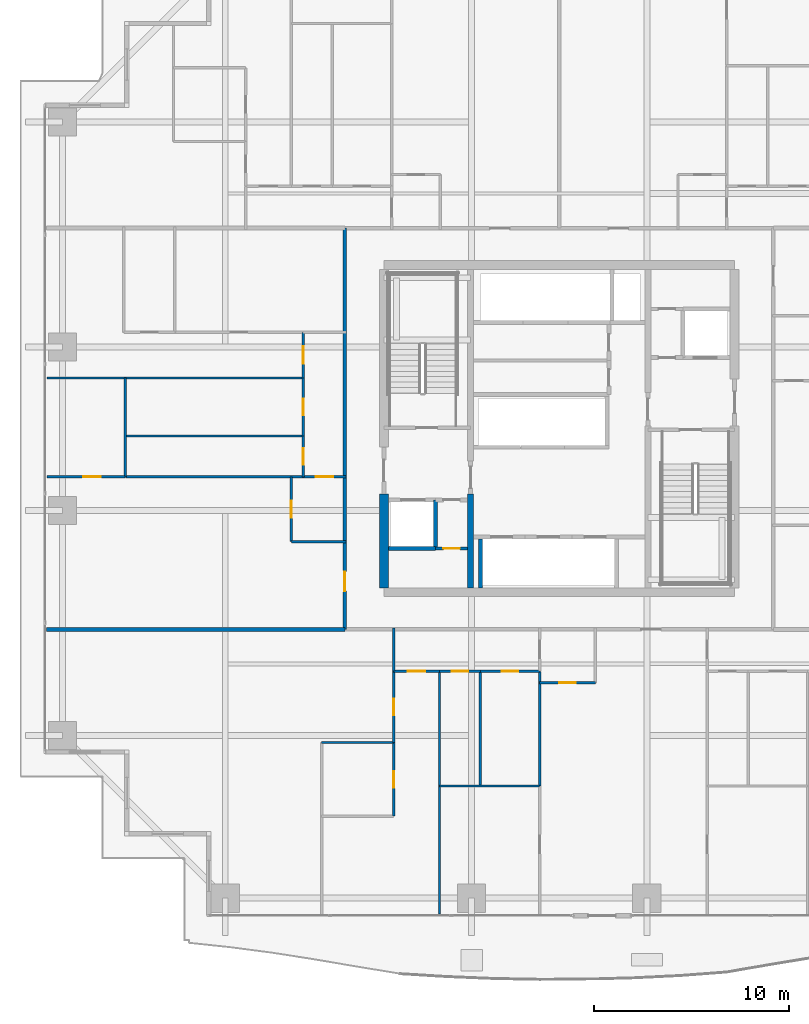
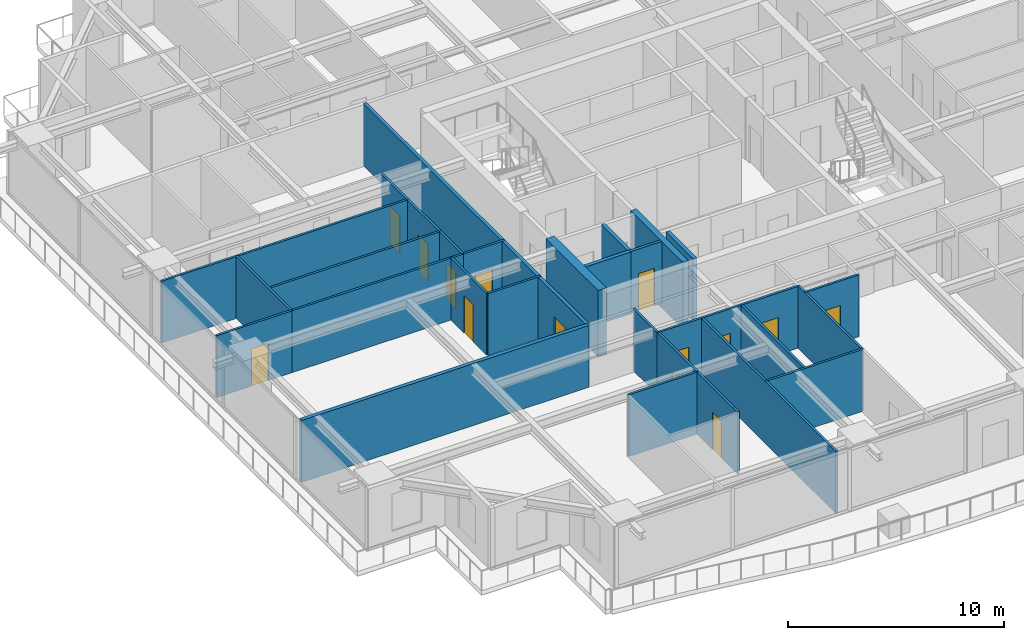
# One storey, part 27 of 39: 31 walls, 14 doors, 14 openings.
"""IFC4 building model written with IfcOpenShell, lengths in metres."""

from ifc_helpers import new_model, si_unit, direction, frame, frame_2d, origin, place, context, subcontext, project, spatial, rectangle, extrude, source, transform, mapped, material, layer, layer_set, type_object, element, fill, save


model = new_model("IFC4")

# Units and contexts
model_context = context("Model", 3, precision=1e-05, world=origin(), true_north=direction((0.0, 1.0)))
body_context = subcontext(model_context, "Body", "Model", "MODEL_VIEW")
ifc_project = project(units=[si_unit("LENGTHUNIT", "METRE"), si_unit("AREAUNIT", "SQUARE_METRE"), si_unit("VOLUMEUNIT", "CUBIC_METRE"), si_unit("PLANEANGLEUNIT", "RADIAN"), si_unit("MASSUNIT", "GRAM", prefix="KILO")], contexts=[model_context])

# Site, building, storey
site_placement = place(None, origin())
site = spatial("IfcSite", under=ifc_project, at=site_placement, CompositionType="ELEMENT")
building_placement = place(site_placement, origin())
building = spatial("IfcBuilding", under=site, at=building_placement, Name="Serunith Strait Residences", CompositionType="ELEMENT")
storey_placement = place(building_placement, frame((0.0, 0.0, 94.199951171875)))
storey = spatial("IfcBuildingStorey", under=building, at=storey_placement, Name="L23", CompositionType="ELEMENT", Elevation=94.199951171875)

# Wall, opening, door
ifc_material_1 = material(Name="Fire-rated masonry service closet wall", Category="masonry")
ifc_layer_1 = layer(ifc_material_1, 0.14990234375, Name="Fire-rated masonry service closet wall")
ifc_layer_set_1 = layer_set([ifc_layer_1], Name="Fire-rated masonry service closet wall")
wall_type_1 = type_object("IfcWallType", Name="IW-BOH-150", PredefinedType="PARTITIONING", material=ifc_layer_set_1)
wall_1_placement = place(storey_placement, frame((26.052001953125, 19.050048828125, 0.0), z_axis=(0.0, 0.0, 1.0), x_axis=(1.0, 0.0, 0.0)))
wall_1 = element("IfcWall", 1, at=wall_1_placement, inside=storey, type_object=wall_type_1, Name="L23 Partition Wall 012", PredefinedType="PARTITIONING", context=body_context, shape_type="SweptSolid", body=[
    extrude(rectangle(XDim=1.64794921875, YDim=0.14990234375, at=frame_2d((0.823974609375, 0.0))), origin(), (0.0, 0.0, 1.0), 3.489990234375),
])
opening_1_placement = place(wall_1_placement, frame((0.39892578125, 0.0, 0.0)))
opening_1 = element("IfcOpeningElement", 2, at=opening_1_placement, cuts=wall_1, Name="Opening FD-850", PredefinedType="OPENING", context=body_context, shape_type="SweptSolid", body=[
    extrude(rectangle(XDim=0.85009765625, YDim=2.10009765625, at=frame_2d((0.425048828125, 1.050048828125))), frame((0.0, 0.0849609375, 0.0), z_axis=(0.0, -1.0, 0.0), x_axis=(1.0, 0.0, 0.0)), (0.0, 0.0, 1.0), 0.169921875),
])
ifc_material_2 = material(Name="Powder-coated steel service closet door", Category="steel")
door_type_1 = type_object("IfcDoorType", Name="FD-BOH-850", OperationType="NOTDEFINED", PredefinedType="DOOR", material=ifc_material_2)
shared_shape_1 = source(origin(), body_context, "Body", "SweptSolid", [
    extrude(rectangle(XDim=0.85009765625, YDim=2.10009765625, at=frame_2d((0.425048828125, 1.050048828125))), frame((0.0, 0.02490234375, 0.0), z_axis=(0.0, -1.0, 0.0), x_axis=(1.0, 0.0, 0.0)), (0.0, 0.0, 1.0), 0.050048828125),
])
door_1_placement = place(opening_1_placement, origin())
door_1 = element("IfcDoor", 3, at=door_1_placement, inside=storey, type_object=door_type_1, Name="L23 Water Meter Door", OperationType="SINGLE_SWING_RIGHT", OverallHeight=2.10009765625, OverallWidth=0.85009765625, PredefinedType="DOOR", context=body_context, shape_type="MappedRepresentation", body=[
    mapped(shared_shape_1, transform((0.0, 0.0, 0.0), scale=1.0)),
])
fill(opening_1, door_1)

ifc_material_3 = material(Name="Fire-rated acoustic gypsum partition")
ifc_layer_2 = layer(ifc_material_3, 0.179931640625, Name="Fire-rated acoustic gypsum partition")
ifc_layer_set_2 = layer_set([ifc_layer_2], Name="Fire-rated acoustic gypsum partition")
wall_type_2 = type_object("IfcWallType", Name="IW-CORR-180", PredefinedType="PARTITIONING", material=ifc_layer_set_2)
wall_2_placement = place(storey_placement, frame((21.39990234375, 14.89990234375, 0.0), z_axis=(0.0, 0.0, 1.0), x_axis=(0.0, 1.0, 0.0)))
wall_2 = element("IfcWall", 4, at=wall_2_placement, inside=storey, type_object=wall_type_2, Name="L23 Partition Wall 024", PredefinedType="PARTITIONING", context=body_context, shape_type="SweptSolid", body=[
    extrude(rectangle(XDim=20.60009765625, YDim=0.179931640625, at=frame_2d((10.300048828125, 0.0))), origin(), (0.0, 0.0, 1.0), 3.489990234375),
])
opening_2_placement = place(wall_2_placement, frame((1.9599609375, 0.0, 0.0)))
opening_2 = element("IfcOpeningElement", 5, at=opening_2_placement, cuts=wall_2, Name="Opening D-APT1000", PredefinedType="OPENING", context=body_context, shape_type="SweptSolid", body=[
    extrude(rectangle(XDim=1.0, YDim=2.14990234375, at=frame_2d((0.5, 1.074951171875))), frame((0.0, 0.10009765625, 0.0), z_axis=(0.0, -1.0, 0.0), x_axis=(1.0, 0.0, 0.0)), (0.0, 0.0, 1.0), 0.199951171875),
])
ifc_material_4 = material(Name="Solid timber engineered fire door", Category="wood")
door_type_2 = type_object("IfcDoorType", Name="ID-APT-1000", OperationType="NOTDEFINED", PredefinedType="DOOR", material=ifc_material_4)
shared_shape_2 = source(origin(), body_context, "Body", "SweptSolid", [
    extrude(rectangle(XDim=1.0, YDim=2.14990234375, at=frame_2d((0.5, 1.074951171875))), frame((0.0, 0.02490234375, 0.0), z_axis=(0.0, -1.0, 0.0), x_axis=(1.0, 0.0, 0.0)), (0.0, 0.0, 1.0), 0.050048828125),
])
door_2_placement = place(opening_2_placement, origin())
door_2 = element("IfcDoor", 6, at=door_2_placement, inside=storey, type_object=door_type_2, Name="L23 Unit 04 Entrance Door", OperationType="SINGLE_SWING_LEFT", OverallHeight=2.14990234375, OverallWidth=1.0, PredefinedType="DOOR", context=body_context, shape_type="MappedRepresentation", body=[
    mapped(shared_shape_2, transform((0.0, 0.0, 0.0), scale=1.0)),
])
fill(opening_2, door_2)

ifc_material_5 = material(Name="Lightweight steel-stud gypsum partition", Category="steel")
ifc_layer_3 = layer(ifc_material_5, 0.1201171875, Name="Lightweight steel-stud gypsum partition")
ifc_layer_set_3 = layer_set([ifc_layer_3], Name="Lightweight steel-stud gypsum partition")
wall_type_3 = type_object("IfcWallType", Name="IW-PART-120", PredefinedType="PARTITIONING", material=ifc_layer_set_3)
wall_3_placement = place(storey_placement, frame((31.39990234375, 12.14990234375, 0.0), z_axis=(0.0, 0.0, 1.0), x_axis=(1.0, 0.0, 0.0)))
wall_3 = element("IfcWall", 7, at=wall_3_placement, inside=storey, type_object=wall_type_3, Name="L23 Partition Wall 026", PredefinedType="PARTITIONING", context=body_context, shape_type="SweptSolid", body=[
    extrude(rectangle(XDim=2.85009765625, YDim=0.1201171875, at=frame_2d((1.425048828125, 0.0))), origin(), (0.0, 0.0, 1.0), 3.489990234375),
])
opening_3_placement = place(wall_3_placement, frame((1.0, 0.0, 0.0)))
opening_3 = element("IfcOpeningElement", 8, at=opening_3_placement, cuts=wall_3, Name="Opening D-RM850", PredefinedType="OPENING", context=body_context, shape_type="SweptSolid", body=[
    extrude(rectangle(XDim=0.85009765625, YDim=2.10009765625, at=frame_2d((0.425048828125, 1.050048828125))), frame((0.0, 0.070068359375, 0.0), z_axis=(0.0, -1.0, 0.0), x_axis=(1.0, 0.0, 0.0)), (0.0, 0.0, 1.0), 0.14013671875),
])
ifc_material_6 = material(Name="Engineered timber flush study and kitchen door", Category="wood")
door_type_3 = type_object("IfcDoorType", Name="ID-ROOM-850", OperationType="NOTDEFINED", PredefinedType="DOOR", material=ifc_material_6)
door_3_placement = place(opening_3_placement, origin())
door_3 = element("IfcDoor", 9, at=door_3_placement, inside=storey, type_object=door_type_3, Name="L23 Kitchen 2301 Door", OperationType="SINGLE_SWING_LEFT", OverallHeight=2.10009765625, OverallWidth=0.85009765625, PredefinedType="DOOR", context=body_context, shape_type="MappedRepresentation", body=[
    mapped(shared_shape_1, transform((0.0, 0.0, 0.0), scale=1.0)),
])
fill(opening_3, door_3)

# Walls
wall_4_placement = place(storey_placement, frame((31.39990234375, 6.862060546875, 0.0), z_axis=(0.0, 0.0, 1.0), x_axis=(0.0, 1.0, 0.0)))
element("IfcWall", 10, at=wall_4_placement, inside=storey, type_object=wall_type_3, Name="L23 Partition Wall 030", PredefinedType="PARTITIONING", context=body_context, shape_type="SweptSolid", body=[
    extrude(rectangle(XDim=5.885986328125, YDim=0.1201171875, at=frame_2d((2.94287109375, 0.0))), origin(), (0.0, 0.0, 1.0), 3.489990234375),
])
wall_5_placement = place(storey_placement, frame((26.25, 6.860107421875, 0.0), z_axis=(0.0, 0.0, 1.0), x_axis=(1.0, 0.0, 0.0)))
element("IfcWall", 11, at=wall_5_placement, inside=storey, type_object=wall_type_3, Name="L23 Partition Wall 031", PredefinedType="PARTITIONING", context=body_context, shape_type="SweptSolid", body=[
    extrude(rectangle(XDim=5.14990234375, YDim=0.1201171875, at=frame_2d((2.574951171875, 0.0))), origin(), (0.0, 0.0, 1.0), 3.489990234375),
])
wall_6_placement = place(storey_placement, frame((26.25, 0.294921875, 0.0), z_axis=(0.0, 0.0, 1.0), x_axis=(0.0, 1.0, 0.0)))
element("IfcWall", 12, at=wall_6_placement, inside=storey, type_object=wall_type_3, Name="L23 Partition Wall 032", PredefinedType="PARTITIONING", context=body_context, shape_type="SweptSolid", body=[
    extrude(rectangle(XDim=12.455078125, YDim=0.1201171875, at=frame_2d((6.2275390625, 0.0))), origin(), (0.0, 0.0, 1.0), 3.489990234375),
])
wall_7_placement = place(storey_placement, frame((28.35009765625, 6.860107421875, 0.0), z_axis=(0.0, 0.0, 1.0), x_axis=(0.0, 1.0, 0.0)))
element("IfcWall", 13, at=wall_7_placement, inside=storey, type_object=wall_type_3, Name="L23 Partition Wall 033", PredefinedType="PARTITIONING", context=body_context, shape_type="SweptSolid", body=[
    extrude(rectangle(XDim=5.889892578125, YDim=0.1201171875, at=frame_2d((2.94482421875, 0.0))), origin(), (0.0, 0.0, 1.0), 3.489990234375),
])

# Wall, opening, door
wall_8_placement = place(storey_placement, frame((26.25, 12.75, 0.0), z_axis=(0.0, 0.0, 1.0), x_axis=(1.0, 0.0, 0.0)))
wall_8 = element("IfcWall", 14, at=wall_8_placement, inside=storey, type_object=wall_type_3, Name="L23 Partition Wall 034", PredefinedType="PARTITIONING", context=body_context, shape_type="SweptSolid", body=[
    extrude(rectangle(XDim=2.10009765625, YDim=0.1201171875, at=frame_2d((1.050048828125, 0.0))), origin(), (0.0, 0.0, 1.0), 3.489990234375),
])
opening_4_placement = place(wall_8_placement, frame((0.625, 0.0, 0.0)))
opening_4 = element("IfcOpeningElement", 15, at=opening_4_placement, cuts=wall_8, Name="Opening D-BTH850", PredefinedType="OPENING", context=body_context, shape_type="SweptSolid", body=[
    extrude(rectangle(XDim=0.85009765625, YDim=2.10009765625, at=frame_2d((0.425048828125, 1.050048828125))), frame((0.0, 0.070068359375, 0.0), z_axis=(0.0, -1.0, 0.0), x_axis=(1.0, 0.0, 0.0)), (0.0, 0.0, 1.0), 0.14013671875),
])
ifc_material_7 = material(Name="Moisture-resistant timber bathroom door", Category="wood")
door_type_4 = type_object("IfcDoorType", Name="ID-BATH-850", OperationType="NOTDEFINED", PredefinedType="DOOR", material=ifc_material_7)
door_4_placement = place(opening_4_placement, origin())
door_4 = element("IfcDoor", 16, at=door_4_placement, inside=storey, type_object=door_type_4, Name="L23 Bathroom 2301 Door", OperationType="SINGLE_SWING_RIGHT", OverallHeight=2.10009765625, OverallWidth=0.85009765625, PredefinedType="DOOR", context=body_context, shape_type="MappedRepresentation", body=[
    mapped(shared_shape_1, transform((0.0, 0.0, 0.0), scale=1.0)),
])
fill(opening_4, door_4)

wall_9_placement = place(storey_placement, frame((28.35205078125, 12.75, 0.0), z_axis=(0.0, 0.0, 1.0), x_axis=(1.0, 0.0, 0.0)))
wall_9 = element("IfcWall", 17, at=wall_9_placement, inside=storey, type_object=wall_type_3, Name="L23 Partition Wall 035", PredefinedType="PARTITIONING", context=body_context, shape_type="SweptSolid", body=[
    extrude(rectangle(XDim=3.0478515625, YDim=0.1201171875, at=frame_2d((1.52392578125, 0.0))), origin(), (0.0, 0.0, 1.0), 3.489990234375),
])
opening_5_placement = place(wall_9_placement, frame((1.09912109375, 0.0, 0.0)))
opening_5 = element("IfcOpeningElement", 18, at=opening_5_placement, cuts=wall_9, Name="Opening D-RM850", PredefinedType="OPENING", context=body_context, shape_type="SweptSolid", body=[
    extrude(rectangle(XDim=0.85009765625, YDim=2.10009765625, at=frame_2d((0.425048828125, 1.050048828125))), frame((0.0, 0.070068359375, 0.0), z_axis=(0.0, -1.0, 0.0), x_axis=(1.0, 0.0, 0.0)), (0.0, 0.0, 1.0), 0.14013671875),
])
door_5_placement = place(opening_5_placement, origin())
door_5 = element("IfcDoor", 19, at=door_5_placement, inside=storey, type_object=door_type_3, Name="L23 Formal Dining Room 2301 Door", OperationType="SINGLE_SWING_LEFT", OverallHeight=2.10009765625, OverallWidth=0.85009765625, PredefinedType="DOOR", context=body_context, shape_type="MappedRepresentation", body=[
    mapped(shared_shape_1, transform((0.0, 0.0, 0.0), scale=1.0)),
])
fill(opening_5, door_5)

wall_10_placement = place(storey_placement, frame((23.89990234375, 12.75, 0.0), z_axis=(0.0, 0.0, 1.0), x_axis=(1.0, 0.0, 0.0)))
wall_10 = element("IfcWall", 20, at=wall_10_placement, inside=storey, type_object=wall_type_3, Name="L23 Partition Wall 036", PredefinedType="PARTITIONING", context=body_context, shape_type="SweptSolid", body=[
    extrude(rectangle(XDim=2.34814453125, YDim=0.1201171875, at=frame_2d((1.174072265625, 0.0))), origin(), (0.0, 0.0, 1.0), 3.489990234375),
])
opening_6_placement = place(wall_10_placement, frame((0.72412109375, 0.0, 0.0)))
opening_6 = element("IfcOpeningElement", 21, at=opening_6_placement, cuts=wall_10, Name="Opening D-RM900", PredefinedType="OPENING", context=body_context, shape_type="SweptSolid", body=[
    extrude(rectangle(XDim=0.89990234375, YDim=2.10009765625, at=frame_2d((0.449951171875, 1.050048828125))), frame((0.0, 0.070068359375, 0.0), z_axis=(0.0, -1.0, 0.0), x_axis=(1.0, 0.0, 0.0)), (0.0, 0.0, 1.0), 0.14013671875),
])
ifc_material_8 = material(Name="Engineered timber flush bedroom door", Category="wood")
door_type_5 = type_object("IfcDoorType", Name="ID-ROOM-900", OperationType="NOTDEFINED", PredefinedType="DOOR", material=ifc_material_8)
shared_shape_3 = source(origin(), body_context, "Body", "SweptSolid", [
    extrude(rectangle(XDim=0.89990234375, YDim=2.10009765625, at=frame_2d((0.449951171875, 1.050048828125))), frame((0.0, 0.02490234375, 0.0), z_axis=(0.0, -1.0, 0.0), x_axis=(1.0, 0.0, 0.0)), (0.0, 0.0, 1.0), 0.050048828125),
])
door_6_placement = place(opening_6_placement, origin())
door_6 = element("IfcDoor", 22, at=door_6_placement, inside=storey, type_object=door_type_5, Name="L23 Master Bedroom W 2301 Door", OperationType="SINGLE_SWING_RIGHT", OverallHeight=2.10009765625, OverallWidth=0.89990234375, PredefinedType="DOOR", context=body_context, shape_type="MappedRepresentation", body=[
    mapped(shared_shape_3, transform((0.0, 0.0, 0.0), scale=1.0)),
])
fill(opening_6, door_6)

# Wall
wall_11_placement = place(storey_placement, frame((20.199951171875, 9.093017578125, 0.0), z_axis=(0.0, 0.0, 1.0), x_axis=(1.0, 0.0, 0.0)))
element("IfcWall", 23, at=wall_11_placement, inside=storey, type_object=wall_type_3, Name="L23 Partition Wall 039", PredefinedType="PARTITIONING", context=body_context, shape_type="SweptSolid", body=[
    extrude(rectangle(XDim=3.699951171875, YDim=0.1201171875, at=frame_2d((1.85009765625, 0.0))), origin(), (0.0, 0.0, 1.0), 3.489990234375),
])

# Wall, opening, door
wall_12_placement = place(storey_placement, frame((23.89990234375, 5.30908203125, 0.0), z_axis=(0.0, 0.0, 1.0), x_axis=(0.0, 1.0, 0.0)))
wall_12 = element("IfcWall", 24, at=wall_12_placement, inside=storey, type_object=wall_type_3, Name="L23 Partition Wall 040", PredefinedType="PARTITIONING", context=body_context, shape_type="SweptSolid", body=[
    extrude(rectangle(XDim=3.783935546875, YDim=0.1201171875, at=frame_2d((1.89208984375, 0.0))), origin(), (0.0, 0.0, 1.0), 3.489990234375),
])
opening_7_placement = place(wall_12_placement, frame((1.467041015625, 0.0, 0.0)))
opening_7 = element("IfcOpeningElement", 25, at=opening_7_placement, cuts=wall_12, Name="Opening D-BTH850", PredefinedType="OPENING", context=body_context, shape_type="SweptSolid", body=[
    extrude(rectangle(XDim=0.85009765625, YDim=2.10009765625, at=frame_2d((0.425048828125, 1.050048828125))), frame((0.0, 0.070068359375, 0.0), z_axis=(0.0, -1.0, 0.0), x_axis=(1.0, 0.0, 0.0)), (0.0, 0.0, 1.0), 0.14013671875),
])
door_7_placement = place(opening_7_placement, origin())
door_7 = element("IfcDoor", 26, at=door_7_placement, inside=storey, type_object=door_type_4, Name="L23 En-suite Bathroom W 2301 Door", OperationType="SINGLE_SWING_LEFT", OverallHeight=2.10009765625, OverallWidth=0.85009765625, PredefinedType="DOOR", context=body_context, shape_type="MappedRepresentation", body=[
    mapped(shared_shape_1, transform((0.0, 0.0, 0.0), scale=1.0)),
])
fill(opening_7, door_7)

wall_13_placement = place(storey_placement, frame((23.89990234375, 9.094970703125, 0.0), z_axis=(0.0, 0.0, 1.0), x_axis=(0.0, 1.0, 0.0)))
wall_13 = element("IfcWall", 27, at=wall_13_placement, inside=storey, type_object=wall_type_3, Name="L23 Partition Wall 041", PredefinedType="PARTITIONING", context=body_context, shape_type="SweptSolid", body=[
    extrude(rectangle(XDim=3.655029296875, YDim=0.1201171875, at=frame_2d((1.82763671875, 0.0))), origin(), (0.0, 0.0, 1.0), 3.489990234375),
])
opening_8_placement = place(wall_13_placement, frame((1.402099609375, 0.0, 0.0)))
opening_8 = element("IfcOpeningElement", 28, at=opening_8_placement, cuts=wall_13, Name="Opening D-RM850", PredefinedType="OPENING", context=body_context, shape_type="SweptSolid", body=[
    extrude(rectangle(XDim=0.85009765625, YDim=2.10009765625, at=frame_2d((0.425048828125, 1.050048828125))), frame((0.0, 0.070068359375, 0.0), z_axis=(0.0, -1.0, 0.0), x_axis=(1.0, 0.0, 0.0)), (0.0, 0.0, 1.0), 0.14013671875),
])
door_8_placement = place(opening_8_placement, origin())
door_8 = element("IfcDoor", 29, at=door_8_placement, inside=storey, type_object=door_type_3, Name="L23 Wardrobe W 2301 Door", OperationType="SINGLE_SWING_RIGHT", OverallHeight=2.10009765625, OverallWidth=0.85009765625, PredefinedType="DOOR", context=body_context, shape_type="MappedRepresentation", body=[
    mapped(shared_shape_1, transform((0.0, 0.0, 0.0), scale=1.0)),
])
fill(opening_8, door_8)

# Wall
wall_14_placement = place(storey_placement, frame((23.89990234375, 12.751953125, 0.0), z_axis=(0.0, 0.0, 1.0), x_axis=(0.0, 1.0, 0.0)))
element("IfcWall", 30, at=wall_14_placement, inside=storey, type_object=wall_type_3, Name="L23 Partition Wall 042", PredefinedType="PARTITIONING", context=body_context, shape_type="SweptSolid", body=[
    extrude(rectangle(XDim=2.2080078125, YDim=0.1201171875, at=frame_2d((1.10400390625, 0.0))), origin(), (0.0, 0.0, 1.0), 3.489990234375),
])

# Wall, opening, door
wall_15_placement = place(storey_placement, frame((18.64990234375, 19.39990234375, 0.0), z_axis=(0.0, 0.0, 1.0), x_axis=(0.0, 1.0, 0.0)))
wall_15 = element("IfcWall", 31, at=wall_15_placement, inside=storey, type_object=wall_type_3, Name="L23 Partition Wall 092", PredefinedType="PARTITIONING", context=body_context, shape_type="SweptSolid", body=[
    extrude(rectangle(XDim=3.330078125, YDim=0.1201171875, at=frame_2d((1.6650390625, 0.0))), origin(), (0.0, 0.0, 1.0), 3.489990234375),
])
opening_9_placement = place(wall_15_placement, frame((1.239990234375, 0.0, 0.0)))
opening_9 = element("IfcOpeningElement", 32, at=opening_9_placement, cuts=wall_15, Name="Opening D-RM850", PredefinedType="OPENING", context=body_context, shape_type="SweptSolid", body=[
    extrude(rectangle(XDim=0.85009765625, YDim=2.10009765625, at=frame_2d((0.425048828125, 1.050048828125))), frame((0.0, 0.070068359375, 0.0), z_axis=(0.0, -1.0, 0.0), x_axis=(1.0, 0.0, 0.0)), (0.0, 0.0, 1.0), 0.14013671875),
])
door_9_placement = place(opening_9_placement, origin())
door_9 = element("IfcDoor", 33, at=door_9_placement, inside=storey, type_object=door_type_3, Name="L23 Kitchen 2304 Door", OperationType="SINGLE_SWING_RIGHT", OverallHeight=2.10009765625, OverallWidth=0.85009765625, PredefinedType="DOOR", context=body_context, shape_type="MappedRepresentation", body=[
    mapped(shared_shape_1, transform((0.0, 0.0, 0.0), scale=1.0)),
])
fill(opening_9, door_9)

# Wall
wall_16_placement = place(storey_placement, frame((18.64990234375, 19.39990234375, 0.0), z_axis=(0.0, 0.0, 1.0), x_axis=(1.0, 0.0, 0.0)))
element("IfcWall", 34, at=wall_16_placement, inside=storey, type_object=wall_type_3, Name="L23 Partition Wall 093", PredefinedType="PARTITIONING", context=body_context, shape_type="SweptSolid", body=[
    extrude(rectangle(XDim=2.81005859375, YDim=0.1201171875, at=frame_2d((1.405029296875, 0.0))), origin(), (0.0, 0.0, 1.0), 3.489990234375),
])

# Wall, opening, door
wall_17_placement = place(storey_placement, frame((19.25, 22.72998046875, 0.0), z_axis=(0.0, 0.0, 1.0), x_axis=(1.0, 0.0, 0.0)))
wall_17 = element("IfcWall", 35, at=wall_17_placement, inside=storey, type_object=wall_type_3, Name="L23 Partition Wall 094", PredefinedType="PARTITIONING", context=body_context, shape_type="SweptSolid", body=[
    extrude(rectangle(XDim=2.2099609375, YDim=0.1201171875, at=frame_2d((1.10498046875, 0.0))), origin(), (0.0, 0.0, 1.0), 3.489990234375),
])
opening_10_placement = place(wall_17_placement, frame((0.655029296875, 0.0, 0.0)))
opening_10 = element("IfcOpeningElement", 36, at=opening_10_placement, cuts=wall_17, Name="Opening D-RM900", PredefinedType="OPENING", context=body_context, shape_type="SweptSolid", body=[
    extrude(rectangle(XDim=0.89990234375, YDim=2.10009765625, at=frame_2d((0.449951171875, 1.050048828125))), frame((0.0, 0.070068359375, 0.0), z_axis=(0.0, -1.0, 0.0), x_axis=(1.0, 0.0, 0.0)), (0.0, 0.0, 1.0), 0.14013671875),
])
door_10_placement = place(opening_10_placement, origin())
door_10 = element("IfcDoor", 37, at=door_10_placement, inside=storey, type_object=door_type_5, Name="L23 Hall E 2304 Door", OperationType="SINGLE_SWING_LEFT", OverallHeight=2.10009765625, OverallWidth=0.89990234375, PredefinedType="DOOR", context=body_context, shape_type="MappedRepresentation", body=[
    mapped(shared_shape_3, transform((0.0, 0.0, 0.0), scale=1.0)),
])
fill(opening_10, door_10)

wall_18_placement = place(storey_placement, frame((6.094970703125, 22.72998046875, 0.0), z_axis=(0.0, 0.0, 1.0), x_axis=(1.0, 0.0, 0.0)))
wall_18 = element("IfcWall", 38, at=wall_18_placement, inside=storey, type_object=wall_type_3, Name="L23 Partition Wall 095", PredefinedType="PARTITIONING", context=body_context, shape_type="SweptSolid", body=[
    extrude(rectangle(XDim=4.02392578125, YDim=0.1201171875, at=frame_2d((2.011962890625, 0.0))), origin(), (0.0, 0.0, 1.0), 3.489990234375),
])
opening_11_placement = place(wall_18_placement, frame((1.85791015625, 0.0, 0.0)))
opening_11 = element("IfcOpeningElement", 39, at=opening_11_placement, cuts=wall_18, Name="Opening D-RM900", PredefinedType="OPENING", context=body_context, shape_type="SweptSolid", body=[
    extrude(rectangle(XDim=0.89990234375, YDim=2.10009765625, at=frame_2d((0.449951171875, 1.050048828125))), frame((0.0, 0.070068359375, 0.0), z_axis=(0.0, -1.0, 0.0), x_axis=(1.0, 0.0, 0.0)), (0.0, 0.0, 1.0), 0.14013671875),
])
door_11_placement = place(opening_11_placement, origin())
door_11 = element("IfcDoor", 40, at=door_11_placement, inside=storey, type_object=door_type_5, Name="L23 Study 1 2304 Door", OperationType="SINGLE_SWING_RIGHT", OverallHeight=2.10009765625, OverallWidth=0.89990234375, PredefinedType="DOOR", context=body_context, shape_type="MappedRepresentation", body=[
    mapped(shared_shape_3, transform((0.0, 0.0, 0.0), scale=1.0)),
])
fill(opening_11, door_11)

# Walls
wall_19_placement = place(storey_placement, frame((10.12109375, 22.72998046875, 0.0), z_axis=(0.0, 0.0, 1.0), x_axis=(1.0, 0.0, 0.0)))
element("IfcWall", 41, at=wall_19_placement, inside=storey, type_object=wall_type_3, Name="L23 Partition Wall 096", PredefinedType="PARTITIONING", context=body_context, shape_type="SweptSolid", body=[
    extrude(rectangle(XDim=9.126953125, YDim=0.1201171875, at=frame_2d((4.5634765625, 0.0))), origin(), (0.0, 0.0, 1.0), 3.489990234375),
])
wall_20_placement = place(storey_placement, frame((10.118896484375, 22.72998046875, 0.0), z_axis=(0.0, 0.0, 1.0), x_axis=(0.0, 1.0, 0.0)))
element("IfcWall", 42, at=wall_20_placement, inside=storey, type_object=wall_type_3, Name="L23 Partition Wall 097", PredefinedType="PARTITIONING", context=body_context, shape_type="SweptSolid", body=[
    extrude(rectangle(XDim=5.070068359375, YDim=0.1201171875, at=frame_2d((2.53515625, 0.0))), origin(), (0.0, 0.0, 1.0), 3.489990234375),
])
wall_21_placement = place(storey_placement, frame((6.094970703125, 27.800048828125, 0.0), z_axis=(0.0, 0.0, 1.0), x_axis=(1.0, 0.0, 0.0)))
element("IfcWall", 43, at=wall_21_placement, inside=storey, type_object=wall_type_3, Name="L23 Partition Wall 098", PredefinedType="PARTITIONING", context=body_context, shape_type="SweptSolid", body=[
    extrude(rectangle(XDim=13.155029296875, YDim=0.1201171875, at=frame_2d((6.57763671875, 0.0))), origin(), (0.0, 0.0, 1.0), 3.489990234375),
])
wall_22_placement = place(storey_placement, frame((10.118896484375, 24.830078125, 0.0), z_axis=(0.0, 0.0, 1.0), x_axis=(1.0, 0.0, 0.0)))
element("IfcWall", 44, at=wall_22_placement, inside=storey, type_object=wall_type_3, Name="L23 Partition Wall 099", PredefinedType="PARTITIONING", context=body_context, shape_type="SweptSolid", body=[
    extrude(rectangle(XDim=9.131103515625, YDim=0.1201171875, at=frame_2d((4.5654296875, 0.0))), origin(), (0.0, 0.0, 1.0), 3.489990234375),
])

# Wall, opening, door
wall_23_placement = place(storey_placement, frame((19.25, 22.72998046875, 0.0), z_axis=(0.0, 0.0, 1.0), x_axis=(0.0, 1.0, 0.0)))
wall_23 = element("IfcWall", 45, at=wall_23_placement, inside=storey, type_object=wall_type_3, Name="L23 Partition Wall 100", PredefinedType="PARTITIONING", context=body_context, shape_type="SweptSolid", body=[
    extrude(rectangle(XDim=2.10009765625, YDim=0.1201171875, at=frame_2d((1.050048828125, 0.0))), origin(), (0.0, 0.0, 1.0), 3.489990234375),
])
opening_12_placement = place(wall_23_placement, frame((0.625, 0.0, 0.0)))
opening_12 = element("IfcOpeningElement", 46, at=opening_12_placement, cuts=wall_23, Name="Opening D-BTH850", PredefinedType="OPENING", context=body_context, shape_type="SweptSolid", body=[
    extrude(rectangle(XDim=0.85009765625, YDim=2.10009765625, at=frame_2d((0.425048828125, 1.050048828125))), frame((0.0, 0.070068359375, 0.0), z_axis=(0.0, -1.0, 0.0), x_axis=(1.0, 0.0, 0.0)), (0.0, 0.0, 1.0), 0.14013671875),
])
door_12_placement = place(opening_12_placement, origin())
door_12 = element("IfcDoor", 47, at=door_12_placement, inside=storey, type_object=door_type_4, Name="L23 Bathroom 2304 Door", OperationType="SINGLE_SWING_LEFT", OverallHeight=2.10009765625, OverallWidth=0.85009765625, PredefinedType="DOOR", context=body_context, shape_type="MappedRepresentation", body=[
    mapped(shared_shape_1, transform((0.0, 0.0, 0.0), scale=1.0)),
])
fill(opening_12, door_12)

wall_24_placement = place(storey_placement, frame((19.25, 24.83203125, 0.0), z_axis=(0.0, 0.0, 1.0), x_axis=(0.0, 1.0, 0.0)))
wall_24 = element("IfcWall", 48, at=wall_24_placement, inside=storey, type_object=wall_type_3, Name="L23 Partition Wall 101", PredefinedType="PARTITIONING", context=body_context, shape_type="SweptSolid", body=[
    extrude(rectangle(XDim=2.968017578125, YDim=0.1201171875, at=frame_2d((1.48388671875, 0.0))), origin(), (0.0, 0.0, 1.0), 3.489990234375),
])
opening_13_placement = place(wall_24_placement, frame((1.05908203125, 0.0, 0.0)))
opening_13 = element("IfcOpeningElement", 49, at=opening_13_placement, cuts=wall_24, Name="Opening D-RM850", PredefinedType="OPENING", context=body_context, shape_type="SweptSolid", body=[
    extrude(rectangle(XDim=0.85009765625, YDim=2.10009765625, at=frame_2d((0.425048828125, 1.050048828125))), frame((0.0, 0.070068359375, 0.0), z_axis=(0.0, -1.0, 0.0), x_axis=(1.0, 0.0, 0.0)), (0.0, 0.0, 1.0), 0.14013671875),
])
door_13_placement = place(opening_13_placement, origin())
door_13 = element("IfcDoor", 50, at=door_13_placement, inside=storey, type_object=door_type_3, Name="L23 Study 2304 Door", OperationType="SINGLE_SWING_RIGHT", OverallHeight=2.10009765625, OverallWidth=0.85009765625, PredefinedType="DOOR", context=body_context, shape_type="MappedRepresentation", body=[
    mapped(shared_shape_1, transform((0.0, 0.0, 0.0), scale=1.0)),
])
fill(opening_13, door_13)

wall_25_placement = place(storey_placement, frame((19.25, 27.802001953125, 0.0), z_axis=(0.0, 0.0, 1.0), x_axis=(0.0, 1.0, 0.0)))
wall_25 = element("IfcWall", 51, at=wall_25_placement, inside=storey, type_object=wall_type_3, Name="L23 Partition Wall 102", PredefinedType="PARTITIONING", context=body_context, shape_type="SweptSolid", body=[
    extrude(rectangle(XDim=2.347900390625, YDim=0.1201171875, at=frame_2d((1.173828125, 0.0))), origin(), (0.0, 0.0, 1.0), 3.489990234375),
])
opening_14_placement = place(wall_25_placement, frame((0.72412109375, 0.0, 0.0)))
opening_14 = element("IfcOpeningElement", 52, at=opening_14_placement, cuts=wall_25, Name="Opening D-RM900", PredefinedType="OPENING", context=body_context, shape_type="SweptSolid", body=[
    extrude(rectangle(XDim=0.89990234375, YDim=2.10009765625, at=frame_2d((0.449951171875, 1.050048828125))), frame((0.0, 0.070068359375, 0.0), z_axis=(0.0, -1.0, 0.0), x_axis=(1.0, 0.0, 0.0)), (0.0, 0.0, 1.0), 0.14013671875),
])
door_14_placement = place(opening_14_placement, origin())
door_14 = element("IfcDoor", 53, at=door_14_placement, inside=storey, type_object=door_type_5, Name="L23 Master Bedroom E 2304 Door", OperationType="SINGLE_SWING_LEFT", OverallHeight=2.10009765625, OverallWidth=0.89990234375, PredefinedType="DOOR", context=body_context, shape_type="MappedRepresentation", body=[
    mapped(shared_shape_3, transform((0.0, 0.0, 0.0), scale=1.0)),
])
fill(opening_14, door_14)

# Walls
ifc_material_9 = material(Name="Twin-stud acoustic gypsum board partition")
ifc_layer_4 = layer(ifc_material_9, 0.199951171875, Name="Twin-stud acoustic gypsum board partition")
ifc_layer_set_4 = layer_set([ifc_layer_4], Name="Twin-stud acoustic gypsum board partition")
wall_type_4 = type_object("IfcWallType", Name="IW-PARTY-200", PredefinedType="PARTITIONING", material=ifc_layer_set_4)
wall_26_placement = place(storey_placement, frame((6.08203125, 14.89990234375, 0.0), z_axis=(0.0, 0.0, 1.0), x_axis=(1.0, 0.0, 0.0)))
element("IfcWall", 54, at=wall_26_placement, inside=storey, type_object=wall_type_4, Name="L23 Partition Wall 018", PredefinedType="PARTITIONING", context=body_context, shape_type="SweptSolid", body=[
    extrude(rectangle(XDim=15.31787109375, YDim=0.199951171875, at=frame_2d((7.658935546875, 0.0))), origin(), (0.0, 0.0, 1.0), 3.489990234375),
])
ifc_material_10 = material(Name="Autoclaved aerated concrete blockwork", Category="masonry")
ifc_layer_5 = layer(ifc_material_10, 0.199951171875, Name="Autoclaved aerated concrete blockwork")
ifc_layer_set_5 = layer_set([ifc_layer_5], Name="Autoclaved aerated concrete blockwork")
wall_type_5 = type_object("IfcWallType", Name="IW-SHAFT-200", PredefinedType="STANDARD", material=ifc_layer_set_5)
wall_27_placement = place(storey_placement, frame((28.35009765625, 17.02490234375, 0.0), z_axis=(0.0, 0.0, 1.0), x_axis=(0.0, 1.0, 0.0)))
element("IfcWall", 55, at=wall_27_placement, inside=storey, type_object=wall_type_5, Name="L23 PL-1 West Shaft Wall", PredefinedType="STANDARD", context=body_context, shape_type="SweptSolid", body=[
    extrude(rectangle(XDim=2.525146484375, YDim=0.199951171875, at=frame_2d((1.2626953125, 0.0))), origin(), (0.0, 0.0, 1.0), 3.489990234375),
])
wall_28_placement = place(storey_placement, frame((26.050048828125, 19.050048828125, 0.0), z_axis=(0.0, 0.0, 1.0), x_axis=(0.0, 1.0, 0.0)))
element("IfcWall", 56, at=wall_28_placement, inside=storey, type_object=wall_type_5, Name="L23 Partition Wall 001", PredefinedType="STANDARD", context=body_context, shape_type="SweptSolid", body=[
    extrude(rectangle(XDim=2.5, YDim=0.199951171875, at=frame_2d((1.25, 0.0))), origin(), (0.0, 0.0, 1.0), 3.489990234375),
])
wall_29_placement = place(storey_placement, frame((23.625, 19.050048828125, 0.0), z_axis=(0.0, 0.0, 1.0), x_axis=(1.0, 0.0, 0.0)))
element("IfcWall", 57, at=wall_29_placement, inside=storey, type_object=wall_type_5, Name="L23 Partition Wall 002", PredefinedType="STANDARD", context=body_context, shape_type="SweptSolid", body=[
    extrude(rectangle(XDim=2.425048828125, YDim=0.199951171875, at=frame_2d((1.21240234375, 0.0))), origin(), (0.0, 0.0, 1.0), 3.489990234375),
])
ifc_material_11 = material(Name="Concrete C80/95", Category="concrete")
ifc_layer_6 = layer(ifc_material_11, 0.300048828125, Name="Concrete C80/95")
ifc_layer_set_6 = layer_set([ifc_layer_6], Name="Concrete C80/95")
wall_type_6 = type_object("IfcWallType", Name="SW-300-C80", PredefinedType="SHEAR", material=ifc_layer_set_6)
wall_30_placement = place(storey_placement, frame((27.85009765625, 17.02490234375, -0.260009765625), z_axis=(0.0, 0.0, 1.0), x_axis=(0.0, 1.0, 0.0)))
element("IfcWall", 58, at=wall_30_placement, inside=storey, type_object=wall_type_6, Name="L23 Core Internal West Web South Pier", PredefinedType="SHEAR", context=body_context, shape_type="SweptSolid", body=[
    extrude(rectangle(XDim=4.8251953125, YDim=0.300048828125, at=frame_2d((2.41259765625, 0.0))), origin(), (0.0, 0.0, 1.0), 3.748046875),
])
ifc_layer_7 = layer(ifc_material_11, 0.449951171875, Name="Concrete C80/95")
ifc_layer_set_7 = layer_set([ifc_layer_7], Name="Concrete C80/95")
wall_type_7 = type_object("IfcWallType", Name="SW-450-C80", PredefinedType="SHEAR", material=ifc_layer_set_7)
wall_31_placement = place(storey_placement, frame((23.39990234375, 17.02490234375, -0.260009765625), z_axis=(0.0, 0.0, 1.0), x_axis=(0.0, 1.0, 0.0)))
element("IfcWall", 59, at=wall_31_placement, inside=storey, type_object=wall_type_7, Name="L23 Core West Shear Wall South Pier", PredefinedType="SHEAR", context=body_context, shape_type="SweptSolid", body=[
    extrude(rectangle(XDim=4.8251953125, YDim=0.449951171875, at=frame_2d((2.41259765625, 0.0))), origin(), (0.0, 0.0, 1.0), 3.748046875),
])

save(model, "model.ifc")
